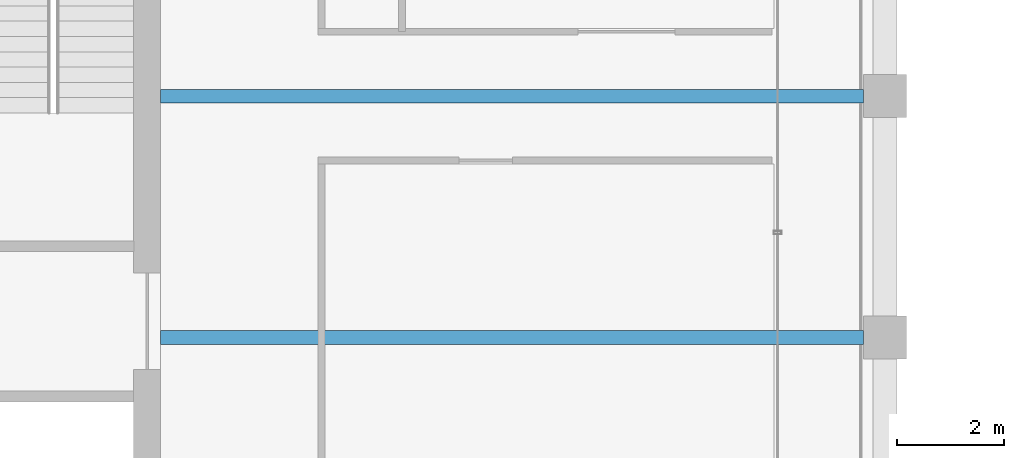
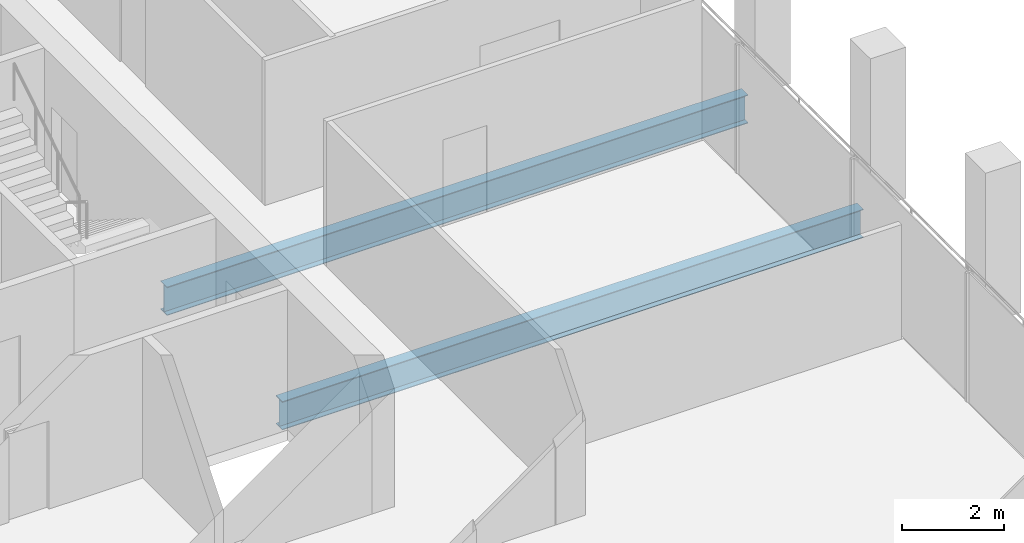
# One storey, part 16 of 40: 2 beams.
"""IFC4 building model written with IfcOpenShell, lengths in metres."""

from ifc_helpers import new_model, si_unit, direction, frame, origin, origin_2d, place, context, subcontext, project, spatial, i_section, extrude, material, material_profile, profile_set, type_object, element, save


model = new_model("IFC4")

# Units and contexts
model_context = context("Model", 3, precision=1e-05, world=origin(), true_north=direction((0.0, 1.0)))
body_context = subcontext(model_context, "Body", "Model", "MODEL_VIEW")
ifc_project = project(units=[si_unit("LENGTHUNIT", "METRE"), si_unit("AREAUNIT", "SQUARE_METRE"), si_unit("VOLUMEUNIT", "CUBIC_METRE"), si_unit("PLANEANGLEUNIT", "RADIAN"), si_unit("MASSUNIT", "GRAM", prefix="KILO")], contexts=[model_context])

# Site, building, storey
site_placement = place(None, origin())
site = spatial("IfcSite", under=ifc_project, at=site_placement, CompositionType="ELEMENT")
building_placement = place(site_placement, origin())
building = spatial("IfcBuilding", under=site, at=building_placement, Name="Altepetl Exchange Towers", CompositionType="ELEMENT")
storey_placement = place(building_placement, frame((0.0, 0.0, 202.800048828125)))
storey = spatial("IfcBuildingStorey", under=building, at=storey_placement, Name="L51", CompositionType="ELEMENT", Elevation=202.800048828125)

# Beams
ifc_material = material(Name="Steel S355", Category="steel")
ifc_material_profile = material_profile(ifc_material, i_section(OverallWidth=0.2529296875, OverallDepth=0.677978515625, WebThickness=0.01171875, FlangeThickness=0.016357421875, at=origin_2d()), Name="W27X84")
ifc_profile_set = profile_set([ifc_material_profile], Name="Steel S355")
beam_type = type_object("IfcBeamType", Name="Floor beam W27X84", PredefinedType="BEAM", material=ifc_profile_set)
for number, where, z_axis, x_axis, name in (
    (1, (58.5, 45.0, -0.489013671875), (1.0, 0.0, 0.0), (0.0, 1.0, 0.0), "bm:A:L51:009"),
    (2, (58.5, 49.5, -0.489013671875), (1.0, 0.0, 0.0), (0.0, 1.0, 0.0), "bm:A:L51:010"),
):
    element("IfcBeam", number, at=place(storey_placement, frame(where, z_axis=z_axis, x_axis=x_axis)), inside=storey, type_object=beam_type, Name=name, PredefinedType="BEAM", context=body_context, shape_type="SweptSolid", body=[
        extrude(i_section(OverallWidth=0.2529296875, OverallDepth=0.677978515625, WebThickness=0.01171875, FlangeThickness=0.016357421875, at=origin_2d()), origin(), (0.0, 0.0, 1.0), 13.10009765625),
    ])

save(model, "model.ifc")
